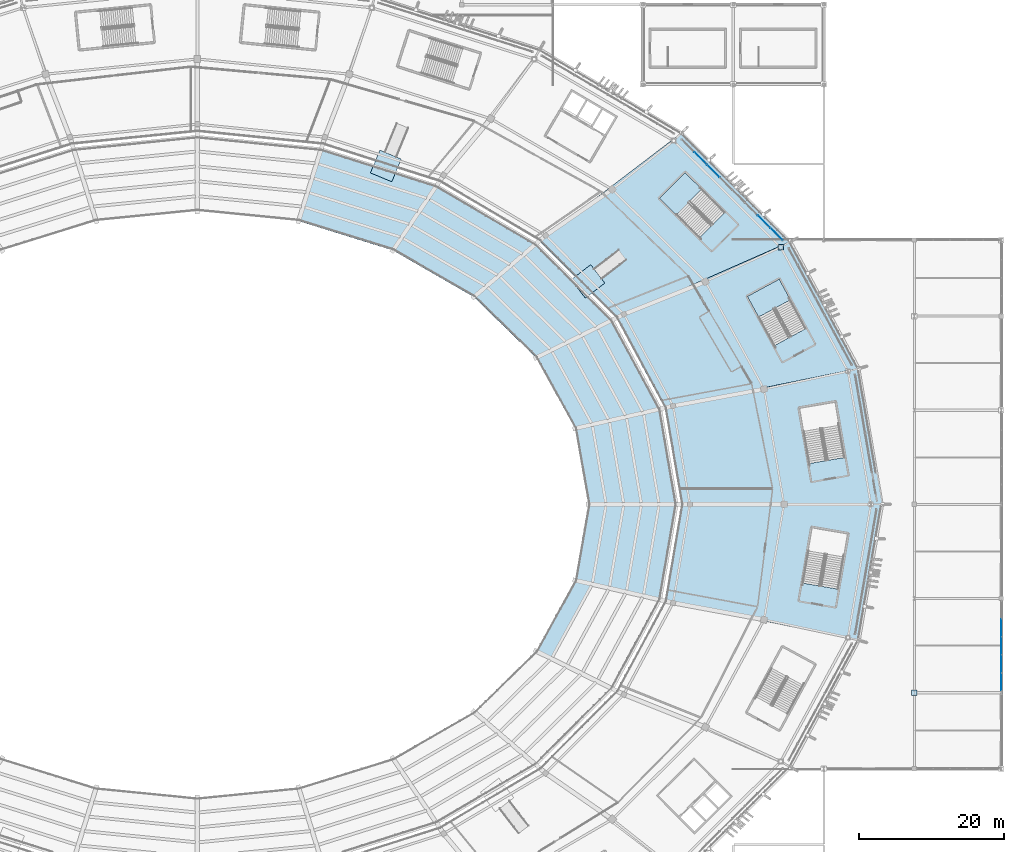
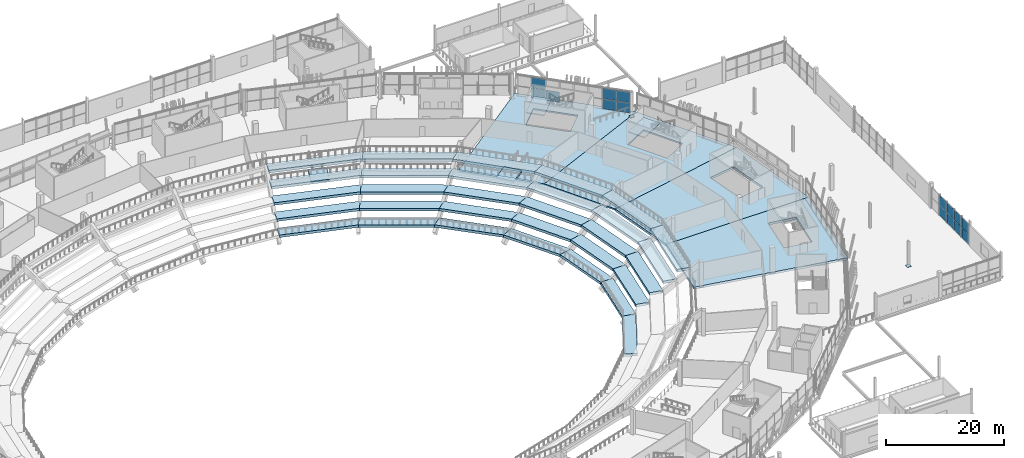
# One storey, part 97 of 178: 39 slabs, 17 plates, 4 elements without a shape of their own.
"""IFC4 building model written with IfcOpenShell, lengths in metres."""

from ifc_helpers import new_model, si_unit, direction, frame, origin, origin_2d, place, context, subcontext, project, spatial, polyline, rectangle, outline, extrude, material, layer, layer_set, type_object, element, aggregate, save


model = new_model("IFC4")

# Units and contexts
model_context = context("Model", 3, precision=1e-05, world=origin(), true_north=direction((0.0, 1.0)))
body_context = subcontext(model_context, "Body", "Model", "MODEL_VIEW")
ifc_project = project(units=[si_unit("LENGTHUNIT", "METRE"), si_unit("AREAUNIT", "SQUARE_METRE"), si_unit("VOLUMEUNIT", "CUBIC_METRE"), si_unit("PLANEANGLEUNIT", "RADIAN"), si_unit("MASSUNIT", "GRAM", prefix="KILO")], contexts=[model_context])

# Site, building, storey
site_placement = place(None, origin())
site = spatial("IfcSite", under=ifc_project, at=site_placement, CompositionType="ELEMENT")
building_placement = place(site_placement, origin())
building = spatial("IfcBuilding", under=site, at=building_placement, Name="Zlatoyarsky Gate Stadium", CompositionType="ELEMENT")
storey_placement = place(building_placement, frame((0.0, 0.0, 5.39990234375)))
storey = spatial("IfcBuildingStorey", under=building, at=storey_placement, Name="L01", CompositionType="ELEMENT", Elevation=5.39990234375)

# Slabs
ifc_material_1 = material(Name="Concrete C40/50", Category="concrete")
ifc_layer_1 = layer(ifc_material_1, 0.360107421875)
ifc_layer_set_1 = layer_set([ifc_layer_1], Name="Concrete C40/50")
slab_type_1 = type_object("IfcSlabType", Name="CONCRETE ACCESSIBLE PLATFORM SLAB 360", PredefinedType="FLOOR", material=ifc_layer_set_1)
slab_1_placement = place(storey_placement, origin())
element("IfcSlab", 1, at=slab_1_placement, inside=storey, type_object=slab_type_1, Name="L01 accessible viewing platform at AR-01", PredefinedType="FLOOR", context=body_context, shape_type="SweptSolid", body=[
    extrude(outline(polyline([(165.306640625, 113.095458984375), (162.609375, 111.025634765625), (164.557373046875, 108.487060546875), (167.254638671875, 110.556884765625), (165.306640625, 113.095458984375)])), origin(), (0.0, 0.0, 1.0), 0.360107421875),
])
slab_2_placement = place(storey_placement, origin())
element("IfcSlab", 2, at=slab_2_placement, inside=storey, type_object=slab_type_1, Name="L01 accessible viewing platform at AR-05", PredefinedType="FLOOR", context=body_context, shape_type="SweptSolid", body=[
    extrude(outline(polyline([(136.1875, 128.9130859375), (134.886474609375, 125.77197265625), (137.843017578125, 124.54736328125), (139.14404296875, 127.6884765625), (136.1875, 128.9130859375)])), origin(), (0.0, 0.0, 1.0), 0.360107421875),
])
ifc_layer_2 = layer(ifc_material_1, 0.300048828125)
ifc_layer_set_2 = layer_set([ifc_layer_2], Name="Concrete C40/50")
slab_type_2 = type_object("IfcSlabType", Name="CONCRETE CONCOURSE SLAB 300", PredefinedType="FLOOR", material=ifc_layer_set_2)
slab_3_placement = place(storey_placement, frame((0.0, 0.0, -0.2998046875)))
element("IfcSlab", 3, at=slab_3_placement, inside=storey, type_object=slab_type_2, Name="L01 bowl sector 01 slab", PredefinedType="FLOOR", context=body_context, shape_type="SweptSolid", body=[
    extrude(outline(polyline([(168.8505859375, 105.699951171875), (192.933349609375, 116.30419921875), (202.384765625, 98.79248046875), (175.523681640625, 93.30322265625), (168.8505859375, 105.699951171875)]), holes=[polyline([(190.635498046875, 101.90283203125), (195.030517578125, 104.287353515625), (191.33447265625, 111.09912109375), (186.939697265625, 108.71484375), (190.635498046875, 101.90283203125)])]), origin(), (0.0, 0.0, 1.0), 0.2998046875),
])
slab_4_placement = place(storey_placement, frame((0.0, 0.0, -0.2998046875)))
element("IfcSlab", 4, at=slab_4_placement, inside=storey, type_object=slab_type_2, Name="L01 bowl sector 02 slab", PredefinedType="FLOOR", context=body_context, shape_type="SweptSolid", body=[
    extrude(outline(polyline([(158.234619140625, 116.34521484375), (177.898193359375, 131.342041015625), (192.933349609375, 116.30419921875), (168.8505859375, 105.699951171875), (158.234619140625, 116.34521484375)]), holes=[polyline([(183.828125, 120.347412109375), (178.334228515625, 125.8134765625), (174.8076171875, 122.268798828125), (180.3017578125, 116.802734375), (183.828125, 120.347412109375)])]), origin(), (0.0, 0.0, 1.0), 0.2998046875),
])
ifc_layer_3 = layer(ifc_material_1, 0.4599609375)
ifc_layer_set_3 = layer_set([ifc_layer_3], Name="Concrete C40/50")
slab_type_3 = type_object("IfcSlabType", Name="CONCRETE PORTAL TRANSFER SLAB 460", PredefinedType="USERDEFINED", material=ifc_layer_set_3)
slab_5_placement = place(storey_placement, frame((0.0, 0.0, -0.4599609375)))
element("IfcSlab", 5, at=slab_5_placement, inside=storey, type_object=slab_type_3, Name="L01 bowl sector 00 slab", ObjectType="TRANSFER SLAB", PredefinedType="USERDEFINED", context=body_context, shape_type="SweptSolid", body=[
    extrude(outline(polyline([(175.523681640625, 93.30322265625), (202.384765625, 98.79248046875), (205.6083984375, 80.0), (177.800048828125, 80.0), (175.523681640625, 93.30322265625)]), holes=[polyline([(195.447998046875, 85.635498046875), (200.37548828125, 86.485107421875), (199.058349609375, 94.122314453125), (194.131103515625, 93.272705078125), (195.447998046875, 85.635498046875)])]), origin(), (0.0, 0.0, 1.0), 0.4599609375),
])
slab_6_placement = place(storey_placement, frame((0.0, 0.0, -0.4599609375)))
element("IfcSlab", 6, at=slab_6_placement, inside=storey, type_object=slab_type_3, Name="L01 bowl sector 23 slab", ObjectType="TRANSFER SLAB", PredefinedType="USERDEFINED", context=body_context, shape_type="SweptSolid", body=[
    extrude(outline(polyline([(177.800048828125, 80.0), (205.6083984375, 80.0), (202.384765625, 61.20751953125), (175.523681640625, 66.69677734375), (177.800048828125, 80.0)]), holes=[polyline([(199.474609375, 68.2919921875), (200.791748046875, 75.92919921875), (195.864501953125, 76.77880859375), (194.547607421875, 69.1416015625), (199.474609375, 68.2919921875)])]), origin(), (0.0, 0.0, 1.0), 0.4599609375),
])

# Stair, slab
stair_type = type_object("IfcStairType", Name="CONCRETE DOGLEG EXIT STAIR H5200", PredefinedType="TWO_STRAIGHT_RUN_STAIR", material=ifc_material_1)
stair_1_placement = place(storey_placement, origin())
stair_1 = element("IfcStair", 7, at=stair_1_placement, inside=storey, type_object=stair_type, Name="L01 Exit Stair ST-02", PredefinedType="TWO_STRAIGHT_RUN_STAIR")
ifc_layer_4 = layer(ifc_material_1, 0.199951171875)
ifc_layer_set_4 = layer_set([ifc_layer_4], Name="Concrete C40/50")
slab_type_4 = type_object("IfcSlabType", Name="CONCRETE STAIR LANDING SLAB 200", PredefinedType="LANDING", material=ifc_layer_set_4)
slab_7_placement = place(storey_placement, frame((0.0, 0.0, 2.400146484375)))
slab_7 = element("IfcSlab", 8, at=slab_7_placement, type_object=slab_type_4, Name="ST-DG52 landing 1", PredefinedType="LANDING", context=body_context, shape_type="SweptSolid", body=[
    extrude(outline(polyline([(180.63818359375, 123.521240234375), (178.334228515625, 125.8134765625), (174.8076171875, 122.26904296875), (177.111572265625, 119.9765625), (180.63818359375, 123.521240234375)])), origin(), (0.0, 0.0, 1.0), 0.199951171875),
])
aggregate(stair_1, [slab_7])

stair_2_placement = place(storey_placement, origin())
stair_2 = element("IfcStair", 9, at=stair_2_placement, inside=storey, type_object=stair_type, Name="L01 Exit Stair ST-13", PredefinedType="TWO_STRAIGHT_RUN_STAIR")
slab_8_placement = place(storey_placement, frame((0.0, 0.0, 2.400146484375)))
slab_8 = element("IfcSlab", 10, at=slab_8_placement, type_object=slab_type_4, Name="ST-DG52 landing 1", PredefinedType="LANDING", context=body_context, shape_type="SweptSolid", body=[
    extrude(outline(polyline([(192.884521484375, 108.24267578125), (191.33447265625, 111.09912109375), (186.939697265625, 108.71484375), (188.489501953125, 105.858154296875), (192.884521484375, 108.24267578125)])), origin(), (0.0, 0.0, 1.0), 0.199951171875),
])
aggregate(stair_2, [slab_8])

# Curtain wall, plates
ifc_material_2 = material(Name="Thermally broken anodised aluminium curtain wall", Category="aluminium")
curtain_wall_type_1 = type_object("IfcCurtainWallType", Name="WINTER GARDEN CONSERVATORY GLAZING", PredefinedType="USERDEFINED", material=ifc_material_2)
curtain_wall_1_placement = place(storey_placement, origin())
curtain_wall_1 = element("IfcCurtainWall", 11, at=curtain_wall_1_placement, inside=storey, type_object=curtain_wall_type_1, Name="Curtain wall CW-V5_EAST-L01-180", ObjectType="UNITISED GLAZING", PredefinedType="USERDEFINED")
ifc_material_3 = material(Name="Anodised aluminium spandrel panel", Category="aluminium")
ifc_layer_5 = layer(ifc_material_3, 0.05810546875)
ifc_layer_set_5 = layer_set([ifc_layer_5], Name="Anodised aluminium spandrel panel")
plate_type_1 = type_object("IfcPlateType", Name="INSULATED ALUMINIUM SPANDREL PANEL 58", PredefinedType="CURTAIN_PANEL", material=ifc_layer_set_5)
plate_1_placement = place(storey_placement, frame((222.0, 55.498291015625, 0.06494140625), z_axis=(0.0, 0.0, 1.0), x_axis=(0.0, 1.0, 0.0)))
plate_1 = element("IfcPlate", 12, at=plate_1_placement, type_object=plate_type_1, Name="CW-WG1 panel 1.1", PredefinedType="CURTAIN_PANEL", context=body_context, shape_type="SweptSolid", body=[
    extrude(rectangle(XDim=2.392578125, YDim=0.05810546875, at=origin_2d()), origin(), (0.0, 0.0, 1.0), 2.052490234375),
])
plate_2_placement = place(storey_placement, frame((222.0, 55.498291015625, 2.1826171875), z_axis=(0.0, 0.0, 1.0), x_axis=(0.0, 1.0, 0.0)))
plate_2 = element("IfcPlate", 13, at=plate_2_placement, type_object=plate_type_1, Name="CW-WG1 panel 1.2", PredefinedType="CURTAIN_PANEL", context=body_context, shape_type="SweptSolid", body=[
    extrude(rectangle(XDim=2.392578125, YDim=0.05810546875, at=origin_2d()), origin(), (0.0, 0.0, 1.0), 2.052490234375),
])
plate_3_placement = place(storey_placement, frame((222.0, 57.972412109375, 0.06494140625), z_axis=(0.0, 0.0, 1.0), x_axis=(0.0, 1.0, 0.0)))
plate_3 = element("IfcPlate", 14, at=plate_3_placement, type_object=plate_type_1, Name="CW-WG1 panel 2.1", PredefinedType="CURTAIN_PANEL", context=body_context, shape_type="SweptSolid", body=[
    extrude(rectangle(XDim=2.42529296875, YDim=0.05810546875, at=origin_2d()), origin(), (0.0, 0.0, 1.0), 2.052490234375),
])
plate_4_placement = place(storey_placement, frame((222.0, 57.972412109375, 2.1826171875), z_axis=(0.0, 0.0, 1.0), x_axis=(0.0, 1.0, 0.0)))
plate_4 = element("IfcPlate", 15, at=plate_4_placement, type_object=plate_type_1, Name="CW-WG1 panel 2.2", PredefinedType="CURTAIN_PANEL", context=body_context, shape_type="SweptSolid", body=[
    extrude(rectangle(XDim=2.42529296875, YDim=0.05810546875, at=origin_2d()), origin(), (0.0, 0.0, 1.0), 2.052490234375),
])
plate_5_placement = place(storey_placement, frame((222.0, 60.46240234375, 0.06494140625), z_axis=(0.0, 0.0, 1.0), x_axis=(0.0, 1.0, 0.0)))
plate_5 = element("IfcPlate", 16, at=plate_5_placement, type_object=plate_type_1, Name="CW-WG1 panel 3.1", PredefinedType="CURTAIN_PANEL", context=body_context, shape_type="SweptSolid", body=[
    extrude(rectangle(XDim=2.42529296875, YDim=0.05810546875, at=origin_2d()), origin(), (0.0, 0.0, 1.0), 2.052490234375),
])
plate_6_placement = place(storey_placement, frame((222.0, 60.46240234375, 2.1826171875), z_axis=(0.0, 0.0, 1.0), x_axis=(0.0, 1.0, 0.0)))
plate_6 = element("IfcPlate", 17, at=plate_6_placement, type_object=plate_type_1, Name="CW-WG1 panel 3.2", PredefinedType="CURTAIN_PANEL", context=body_context, shape_type="SweptSolid", body=[
    extrude(rectangle(XDim=2.42529296875, YDim=0.05810546875, at=origin_2d()), origin(), (0.0, 0.0, 1.0), 2.052490234375),
])
plate_7_placement = place(storey_placement, frame((222.0, 62.95263671875, 0.06494140625), z_axis=(0.0, 0.0, 1.0), x_axis=(0.0, 1.0, 0.0)))
plate_7 = element("IfcPlate", 18, at=plate_7_placement, type_object=plate_type_1, Name="CW-WG1 panel 4.1", PredefinedType="CURTAIN_PANEL", context=body_context, shape_type="SweptSolid", body=[
    extrude(rectangle(XDim=2.42529296875, YDim=0.05810546875, at=origin_2d()), origin(), (0.0, 0.0, 1.0), 2.052490234375),
])
plate_8_placement = place(storey_placement, frame((222.0, 62.95263671875, 2.1826171875), z_axis=(0.0, 0.0, 1.0), x_axis=(0.0, 1.0, 0.0)))
plate_8 = element("IfcPlate", 19, at=plate_8_placement, type_object=plate_type_1, Name="CW-WG1 panel 4.2", PredefinedType="CURTAIN_PANEL", context=body_context, shape_type="SweptSolid", body=[
    extrude(rectangle(XDim=2.42529296875, YDim=0.05810546875, at=origin_2d()), origin(), (0.0, 0.0, 1.0), 2.052490234375),
])
aggregate(curtain_wall_1, [plate_1, plate_2, plate_3, plate_4, plate_5, plate_6, plate_7, plate_8])

# Slabs
ifc_material_4 = material(Name="Precast concrete C40/50", Category="concrete")
ifc_layer_6 = layer(ifc_material_4, 0.52001953125)
ifc_layer_set_6 = layer_set([ifc_layer_6], Name="Precast concrete C40/50")
slab_type_5 = type_object("IfcSlabType", Name="PRECAST LOWER SEATING TIER UNIT 520", PredefinedType="USERDEFINED", material=ifc_layer_set_6)
slab_9_placement = place(storey_placement, frame((0.0, 0.0, -3.869873046875)))
element("IfcSlab", 20, at=slab_9_placement, inside=storey, type_object=slab_type_5, Name="Lower seating tier sector 00 row 1", ObjectType="SEATING TIER", PredefinedType="USERDEFINED", context=body_context, shape_type="SweptSolid", body=[
    extrude(outline(polyline([(165.0, 80.0), (167.43994140625, 80.0), (165.516845703125, 91.015380859375), (163.159912109375, 90.482177734375), (165.0, 80.0)])), origin(), (0.0, 0.0, 1.0), 0.52001953125),
])
slab_10_placement = place(storey_placement, frame((0.0, 0.0, -1.969970703125)))
element("IfcSlab", 21, at=slab_10_placement, inside=storey, type_object=slab_type_5, Name="Lower seating tier sector 00 row 2", ObjectType="SEATING TIER", PredefinedType="USERDEFINED", context=body_context, shape_type="SweptSolid", body=[
    extrude(outline(polyline([(167.43994140625, 80.0), (169.8798828125, 80.0), (167.873779296875, 91.548583984375), (165.516845703125, 91.015380859375), (167.43994140625, 80.0)])), origin(), (0.0, 0.0, 1.0), 0.52001953125),
])
slab_11_placement = place(storey_placement, frame((0.0, 0.0, -0.06982421875)))
element("IfcSlab", 22, at=slab_11_placement, inside=storey, type_object=slab_type_5, Name="Lower seating tier sector 00 row 3", ObjectType="SEATING TIER", PredefinedType="USERDEFINED", context=body_context, shape_type="SweptSolid", body=[
    extrude(outline(polyline([(169.8798828125, 80.0), (172.320068359375, 80.0), (170.230712890625, 92.081787109375), (167.873779296875, 91.548583984375), (169.8798828125, 80.0)])), origin(), (0.0, 0.0, 1.0), 0.52001953125),
])
slab_12_placement = place(storey_placement, frame((0.0, 0.0, 1.830078125)))
element("IfcSlab", 23, at=slab_12_placement, inside=storey, type_object=slab_type_5, Name="Lower seating tier sector 00 row 4", ObjectType="SEATING TIER", PredefinedType="USERDEFINED", context=body_context, shape_type="SweptSolid", body=[
    extrude(outline(polyline([(172.320068359375, 80.0), (174.760009765625, 80.0), (172.58740234375, 92.61474609375), (170.230712890625, 92.081787109375), (172.320068359375, 80.0)])), origin(), (0.0, 0.0, 1.0), 0.52001953125),
])
slab_13_placement = place(storey_placement, frame((0.0, 0.0, 3.72998046875)))
element("IfcSlab", 24, at=slab_13_placement, inside=storey, type_object=slab_type_5, Name="Lower seating tier sector 00 row 5", ObjectType="SEATING TIER", PredefinedType="USERDEFINED", context=body_context, shape_type="SweptSolid", body=[
    extrude(outline(polyline([(174.760009765625, 80.0), (177.199951171875, 80.0), (174.9443359375, 93.14794921875), (172.58740234375, 92.61474609375), (174.760009765625, 80.0)])), origin(), (0.0, 0.0, 1.0), 0.52001953125),
])
slab_14_placement = place(storey_placement, frame((0.0, 0.0, -3.869873046875)))
element("IfcSlab", 25, at=slab_14_placement, inside=storey, type_object=slab_type_5, Name="Lower seating tier sector 01 row 1", ObjectType="SEATING TIER", PredefinedType="USERDEFINED", context=body_context, shape_type="SweptSolid", body=[
    extrude(outline(polyline([(163.159912109375, 90.482177734375), (165.516845703125, 91.015380859375), (159.87841796875, 101.280029296875), (157.765380859375, 100.25), (163.159912109375, 90.482177734375)])), origin(), (0.0, 0.0, 1.0), 0.52001953125),
])
slab_15_placement = place(storey_placement, frame((0.0, 0.0, -1.969970703125)))
element("IfcSlab", 26, at=slab_15_placement, inside=storey, type_object=slab_type_5, Name="Lower seating tier sector 01 row 2", ObjectType="SEATING TIER", PredefinedType="USERDEFINED", context=body_context, shape_type="SweptSolid", body=[
    extrude(outline(polyline([(165.516845703125, 91.015380859375), (167.873779296875, 91.548583984375), (161.99169921875, 102.31005859375), (159.87841796875, 101.280029296875), (165.516845703125, 91.015380859375)])), origin(), (0.0, 0.0, 1.0), 0.52001953125),
])
slab_16_placement = place(storey_placement, frame((0.0, 0.0, -0.06982421875)))
element("IfcSlab", 27, at=slab_16_placement, inside=storey, type_object=slab_type_5, Name="Lower seating tier sector 01 row 3", ObjectType="SEATING TIER", PredefinedType="USERDEFINED", context=body_context, shape_type="SweptSolid", body=[
    extrude(outline(polyline([(167.873779296875, 91.548583984375), (170.230712890625, 92.081787109375), (164.104736328125, 103.340087890625), (161.99169921875, 102.31005859375), (167.873779296875, 91.548583984375)])), origin(), (0.0, 0.0, 1.0), 0.52001953125),
])
slab_17_placement = place(storey_placement, frame((0.0, 0.0, 1.830078125)))
element("IfcSlab", 28, at=slab_17_placement, inside=storey, type_object=slab_type_5, Name="Lower seating tier sector 01 row 4", ObjectType="SEATING TIER", PredefinedType="USERDEFINED", context=body_context, shape_type="SweptSolid", body=[
    extrude(outline(polyline([(170.230712890625, 92.081787109375), (172.58740234375, 92.61474609375), (166.2177734375, 104.3701171875), (164.104736328125, 103.340087890625), (170.230712890625, 92.081787109375)])), origin(), (0.0, 0.0, 1.0), 0.52001953125),
])
slab_18_placement = place(storey_placement, frame((0.0, 0.0, 3.72998046875)))
element("IfcSlab", 29, at=slab_18_placement, inside=storey, type_object=slab_type_5, Name="Lower seating tier sector 01 row 5", ObjectType="SEATING TIER", PredefinedType="USERDEFINED", context=body_context, shape_type="SweptSolid", body=[
    extrude(outline(polyline([(172.58740234375, 92.61474609375), (174.9443359375, 93.14794921875), (168.330810546875, 105.39990234375), (166.2177734375, 104.3701171875), (172.58740234375, 92.61474609375)])), origin(), (0.0, 0.0, 1.0), 0.52001953125),
])
slab_19_placement = place(storey_placement, frame((0.0, 0.0, -3.869873046875)))
element("IfcSlab", 30, at=slab_19_placement, inside=storey, type_object=slab_type_5, Name="Lower seating tier sector 02 row 1", ObjectType="SEATING TIER", PredefinedType="USERDEFINED", context=body_context, shape_type="SweptSolid", body=[
    extrude(outline(polyline([(157.765380859375, 100.25), (159.87841796875, 101.280029296875), (150.9091796875, 110.094482421875), (149.183837890625, 108.6376953125), (157.765380859375, 100.25)])), origin(), (0.0, 0.0, 1.0), 0.52001953125),
])
slab_20_placement = place(storey_placement, frame((0.0, 0.0, -1.969970703125)))
element("IfcSlab", 31, at=slab_20_placement, inside=storey, type_object=slab_type_5, Name="Lower seating tier sector 02 row 2", ObjectType="SEATING TIER", PredefinedType="USERDEFINED", context=body_context, shape_type="SweptSolid", body=[
    extrude(outline(polyline([(159.87841796875, 101.280029296875), (161.99169921875, 102.31005859375), (152.634521484375, 111.551025390625), (150.9091796875, 110.094482421875), (159.87841796875, 101.280029296875)])), origin(), (0.0, 0.0, 1.0), 0.52001953125),
])
slab_21_placement = place(storey_placement, frame((0.0, 0.0, -0.06982421875)))
element("IfcSlab", 32, at=slab_21_placement, inside=storey, type_object=slab_type_5, Name="Lower seating tier sector 02 row 3", ObjectType="SEATING TIER", PredefinedType="USERDEFINED", context=body_context, shape_type="SweptSolid", body=[
    extrude(outline(polyline([(161.99169921875, 102.31005859375), (164.104736328125, 103.340087890625), (154.35986328125, 113.0078125), (152.634521484375, 111.551025390625), (161.99169921875, 102.31005859375)])), origin(), (0.0, 0.0, 1.0), 0.52001953125),
])
slab_22_placement = place(storey_placement, frame((0.0, 0.0, 1.830078125)))
element("IfcSlab", 33, at=slab_22_placement, inside=storey, type_object=slab_type_5, Name="Lower seating tier sector 02 row 4", ObjectType="SEATING TIER", PredefinedType="USERDEFINED", context=body_context, shape_type="SweptSolid", body=[
    extrude(outline(polyline([(164.104736328125, 103.340087890625), (166.2177734375, 104.3701171875), (156.085205078125, 114.46435546875), (154.35986328125, 113.0078125), (164.104736328125, 103.340087890625)])), origin(), (0.0, 0.0, 1.0), 0.52001953125),
])
slab_23_placement = place(storey_placement, frame((0.0, 0.0, 3.72998046875)))
element("IfcSlab", 34, at=slab_23_placement, inside=storey, type_object=slab_type_5, Name="Lower seating tier sector 02 row 5", ObjectType="SEATING TIER", PredefinedType="USERDEFINED", context=body_context, shape_type="SweptSolid", body=[
    extrude(outline(polyline([(166.2177734375, 104.3701171875), (168.330810546875, 105.39990234375), (157.810546875, 115.9208984375), (156.085205078125, 114.46435546875), (166.2177734375, 104.3701171875)])), origin(), (0.0, 0.0, 1.0), 0.52001953125),
])
slab_24_placement = place(storey_placement, frame((0.0, 0.0, -3.869873046875)))
element("IfcSlab", 35, at=slab_24_placement, inside=storey, type_object=slab_type_5, Name="Lower seating tier sector 03 row 1", ObjectType="SEATING TIER", PredefinedType="USERDEFINED", context=body_context, shape_type="SweptSolid", body=[
    extrude(outline(polyline([(149.183837890625, 108.6376953125), (150.9091796875, 110.094482421875), (139.219970703125, 116.85791015625), (138.0, 115.073974609375), (149.183837890625, 108.6376953125)])), origin(), (0.0, 0.0, 1.0), 0.52001953125),
])
slab_25_placement = place(storey_placement, frame((0.0, 0.0, -1.969970703125)))
element("IfcSlab", 36, at=slab_25_placement, inside=storey, type_object=slab_type_5, Name="Lower seating tier sector 03 row 2", ObjectType="SEATING TIER", PredefinedType="USERDEFINED", context=body_context, shape_type="SweptSolid", body=[
    extrude(outline(polyline([(150.9091796875, 110.094482421875), (152.634521484375, 111.551025390625), (140.43994140625, 118.64208984375), (139.219970703125, 116.85791015625), (150.9091796875, 110.094482421875)])), origin(), (0.0, 0.0, 1.0), 0.52001953125),
])
slab_26_placement = place(storey_placement, frame((0.0, 0.0, -0.06982421875)))
element("IfcSlab", 37, at=slab_26_placement, inside=storey, type_object=slab_type_5, Name="Lower seating tier sector 03 row 3", ObjectType="SEATING TIER", PredefinedType="USERDEFINED", context=body_context, shape_type="SweptSolid", body=[
    extrude(outline(polyline([(152.634521484375, 111.551025390625), (154.35986328125, 113.0078125), (141.659912109375, 120.426025390625), (140.43994140625, 118.64208984375), (152.634521484375, 111.551025390625)])), origin(), (0.0, 0.0, 1.0), 0.52001953125),
])
slab_27_placement = place(storey_placement, frame((0.0, 0.0, 1.830078125)))
element("IfcSlab", 38, at=slab_27_placement, inside=storey, type_object=slab_type_5, Name="Lower seating tier sector 03 row 4", ObjectType="SEATING TIER", PredefinedType="USERDEFINED", context=body_context, shape_type="SweptSolid", body=[
    extrude(outline(polyline([(154.35986328125, 113.0078125), (156.085205078125, 114.46435546875), (142.8798828125, 122.210205078125), (141.659912109375, 120.426025390625), (154.35986328125, 113.0078125)])), origin(), (0.0, 0.0, 1.0), 0.52001953125),
])
slab_28_placement = place(storey_placement, frame((0.0, 0.0, 3.72998046875)))
element("IfcSlab", 39, at=slab_28_placement, inside=storey, type_object=slab_type_5, Name="Lower seating tier sector 03 row 5", ObjectType="SEATING TIER", PredefinedType="USERDEFINED", context=body_context, shape_type="SweptSolid", body=[
    extrude(outline(polyline([(156.085205078125, 114.46435546875), (157.810546875, 115.9208984375), (144.10009765625, 123.994140625), (142.8798828125, 122.210205078125), (156.085205078125, 114.46435546875)])), origin(), (0.0, 0.0, 1.0), 0.52001953125),
])
slab_29_placement = place(storey_placement, frame((0.0, 0.0, -3.869873046875)))
element("IfcSlab", 40, at=slab_29_placement, inside=storey, type_object=slab_type_5, Name="Lower seating tier sector 04 row 1", ObjectType="SEATING TIER", PredefinedType="USERDEFINED", context=body_context, shape_type="SweptSolid", body=[
    extrude(outline(polyline([(138.0, 115.073974609375), (139.219970703125, 116.85791015625), (125.607666015625, 121.10986328125), (124.976318359375, 119.1201171875), (138.0, 115.073974609375)])), origin(), (0.0, 0.0, 1.0), 0.52001953125),
])
slab_30_placement = place(storey_placement, frame((0.0, 0.0, -1.969970703125)))
element("IfcSlab", 41, at=slab_30_placement, inside=storey, type_object=slab_type_5, Name="Lower seating tier sector 04 row 2", ObjectType="SEATING TIER", PredefinedType="USERDEFINED", context=body_context, shape_type="SweptSolid", body=[
    extrude(outline(polyline([(139.219970703125, 116.85791015625), (140.43994140625, 118.64208984375), (126.2392578125, 123.099609375), (125.607666015625, 121.10986328125), (139.219970703125, 116.85791015625)])), origin(), (0.0, 0.0, 1.0), 0.52001953125),
])
slab_31_placement = place(storey_placement, frame((0.0, 0.0, -0.06982421875)))
element("IfcSlab", 42, at=slab_31_placement, inside=storey, type_object=slab_type_5, Name="Lower seating tier sector 04 row 3", ObjectType="SEATING TIER", PredefinedType="USERDEFINED", context=body_context, shape_type="SweptSolid", body=[
    extrude(outline(polyline([(140.43994140625, 118.64208984375), (141.659912109375, 120.426025390625), (126.870849609375, 125.08935546875), (126.2392578125, 123.099609375), (140.43994140625, 118.64208984375)])), origin(), (0.0, 0.0, 1.0), 0.52001953125),
])
slab_32_placement = place(storey_placement, frame((0.0, 0.0, 1.830078125)))
element("IfcSlab", 43, at=slab_32_placement, inside=storey, type_object=slab_type_5, Name="Lower seating tier sector 04 row 4", ObjectType="SEATING TIER", PredefinedType="USERDEFINED", context=body_context, shape_type="SweptSolid", body=[
    extrude(outline(polyline([(141.659912109375, 120.426025390625), (142.8798828125, 122.210205078125), (127.502197265625, 127.0791015625), (126.870849609375, 125.08935546875), (141.659912109375, 120.426025390625)])), origin(), (0.0, 0.0, 1.0), 0.52001953125),
])
slab_33_placement = place(storey_placement, frame((0.0, 0.0, 3.72998046875)))
element("IfcSlab", 44, at=slab_33_placement, inside=storey, type_object=slab_type_5, Name="Lower seating tier sector 04 row 5", ObjectType="SEATING TIER", PredefinedType="USERDEFINED", context=body_context, shape_type="SweptSolid", body=[
    extrude(outline(polyline([(142.8798828125, 122.210205078125), (144.10009765625, 123.994140625), (128.1337890625, 129.069091796875), (127.502197265625, 127.0791015625), (142.8798828125, 122.210205078125)])), origin(), (0.0, 0.0, 1.0), 0.52001953125),
])
slab_34_placement = place(storey_placement, frame((0.0, 0.0, -3.869873046875)))
element("IfcSlab", 45, at=slab_34_placement, inside=storey, type_object=slab_type_5, Name="Lower seating tier sector 22 row 1", ObjectType="SEATING TIER", PredefinedType="USERDEFINED", context=body_context, shape_type="SweptSolid", body=[
    extrude(outline(polyline([(157.765380859375, 59.75), (159.87841796875, 58.719970703125), (165.516845703125, 68.984619140625), (163.159912109375, 69.517822265625), (157.765380859375, 59.75)])), origin(), (0.0, 0.0, 1.0), 0.52001953125),
])
slab_35_placement = place(storey_placement, frame((0.0, 0.0, -3.869873046875)))
element("IfcSlab", 46, at=slab_35_placement, inside=storey, type_object=slab_type_5, Name="Lower seating tier sector 23 row 1", ObjectType="SEATING TIER", PredefinedType="USERDEFINED", context=body_context, shape_type="SweptSolid", body=[
    extrude(outline(polyline([(163.159912109375, 69.517822265625), (165.516845703125, 68.984619140625), (167.43994140625, 80.0), (165.0, 80.0), (163.159912109375, 69.517822265625)])), origin(), (0.0, 0.0, 1.0), 0.52001953125),
])
slab_36_placement = place(storey_placement, frame((0.0, 0.0, -1.969970703125)))
element("IfcSlab", 47, at=slab_36_placement, inside=storey, type_object=slab_type_5, Name="Lower seating tier sector 23 row 2", ObjectType="SEATING TIER", PredefinedType="USERDEFINED", context=body_context, shape_type="SweptSolid", body=[
    extrude(outline(polyline([(165.516845703125, 68.984619140625), (167.873779296875, 68.451416015625), (169.8798828125, 80.0), (167.43994140625, 80.0), (165.516845703125, 68.984619140625)])), origin(), (0.0, 0.0, 1.0), 0.52001953125),
])
slab_37_placement = place(storey_placement, frame((0.0, 0.0, -0.06982421875)))
element("IfcSlab", 48, at=slab_37_placement, inside=storey, type_object=slab_type_5, Name="Lower seating tier sector 23 row 3", ObjectType="SEATING TIER", PredefinedType="USERDEFINED", context=body_context, shape_type="SweptSolid", body=[
    extrude(outline(polyline([(167.873779296875, 68.451416015625), (170.230712890625, 67.918212890625), (172.320068359375, 80.0), (169.8798828125, 80.0), (167.873779296875, 68.451416015625)])), origin(), (0.0, 0.0, 1.0), 0.52001953125),
])
slab_38_placement = place(storey_placement, frame((0.0, 0.0, 1.830078125)))
element("IfcSlab", 49, at=slab_38_placement, inside=storey, type_object=slab_type_5, Name="Lower seating tier sector 23 row 4", ObjectType="SEATING TIER", PredefinedType="USERDEFINED", context=body_context, shape_type="SweptSolid", body=[
    extrude(outline(polyline([(170.230712890625, 67.918212890625), (172.58740234375, 67.38525390625), (174.760009765625, 80.0), (172.320068359375, 80.0), (170.230712890625, 67.918212890625)])), origin(), (0.0, 0.0, 1.0), 0.52001953125),
])
slab_39_placement = place(storey_placement, frame((0.0, 0.0, 3.72998046875)))
element("IfcSlab", 50, at=slab_39_placement, inside=storey, type_object=slab_type_5, Name="Lower seating tier sector 23 row 5", ObjectType="SEATING TIER", PredefinedType="USERDEFINED", context=body_context, shape_type="SweptSolid", body=[
    extrude(outline(polyline([(172.58740234375, 67.38525390625), (174.9443359375, 66.85205078125), (177.199951171875, 80.0), (174.760009765625, 80.0), (172.58740234375, 67.38525390625)])), origin(), (0.0, 0.0, 1.0), 0.52001953125),
])

# Plates
ifc_material_5 = material(Name="Steel S355", Category="steel")
ifc_layer_7 = layer(ifc_material_5, 0.0400390625)
ifc_layer_set_7 = layer_set([ifc_layer_7], Name="Steel S355")
plate_type_2 = type_object("IfcPlateType", Name="STEEL COLUMN BASE PLATE 40", PredefinedType="USERDEFINED", material=ifc_layer_set_7)
for number, where, z_axis, x_axis, name in (
    (51, (191.540283203125, 115.5, 0.0), (0.0, 0.0, 1.0), (1.0, 0.0, 0.0), "Column base plate BP-01 at RC-02 L01"),
    (52, (210.0, 54.0, 0.0), (0.0, 0.0, 1.0), (1.0, 0.0, 0.0), "Column base plate BP-01 at WG-18-F L01"),
):
    element("IfcPlate", number, at=place(storey_placement, frame(where, z_axis=z_axis, x_axis=x_axis)), inside=storey, type_object=plate_type_2, Name=name, ObjectType="BASE PLATE", PredefinedType="USERDEFINED", context=body_context, shape_type="SweptSolid", body=[
        extrude(rectangle(XDim=0.75, YDim=0.75, at=origin_2d()), origin(), (0.0, 0.0, 1.0), 0.0400390625),
    ])

# Curtain wall, plates
curtain_wall_type_2 = type_object("IfcCurtainWallType", Name="UNITISED HOSPITALITY GLAZING L01", PredefinedType="USERDEFINED", material=ifc_material_2)
curtain_wall_2_placement = place(storey_placement, origin())
curtain_wall_2 = element("IfcCurtainWall", 53, at=curtain_wall_2_placement, inside=storey, type_object=curtain_wall_type_2, Name="Curtain wall CW-L01-02", ObjectType="UNITISED GLAZING", PredefinedType="USERDEFINED")
ifc_material_6 = material(Name="Triple-glazed argon low-e architectural glass", Category="glass")
ifc_layer_8 = layer(ifc_material_6, 0.0380859375)
ifc_layer_set_8 = layer_set([ifc_layer_8], Name="Triple-glazed argon low-e architectural glass")
plate_type_3 = type_object("IfcPlateType", Name="TRIPLE GLAZED LOW E CURTAIN PANEL 38", PredefinedType="CURTAIN_PANEL", material=ifc_layer_set_8)
plate_9_placement = place(storey_placement, frame((190.980224609375, 117.29833984375, 0.06494140625), z_axis=(0.0, 0.0, 1.0), x_axis=(-0.707841859523, 0.706370937898, 0.0)))
plate_9 = element("IfcPlate", 54, at=plate_9_placement, type_object=plate_type_3, Name="CW-UG1 panel 1.1", PredefinedType="CURTAIN_PANEL", context=body_context, shape_type="SweptSolid", body=[
    extrude(rectangle(XDim=2.37548828125, YDim=0.0380859375, at=origin_2d()), origin(), (0.0, 0.0, 1.0), 2.052490234375),
])
plate_10_placement = place(storey_placement, frame((190.980224609375, 117.29833984375, 2.1826171875), z_axis=(0.0, 0.0, 1.0), x_axis=(-0.707841859523, 0.706370937898, 0.0)))
plate_10 = element("IfcPlate", 55, at=plate_10_placement, type_object=plate_type_3, Name="CW-UG1 panel 1.2", PredefinedType="CURTAIN_PANEL", context=body_context, shape_type="SweptSolid", body=[
    extrude(rectangle(XDim=2.37548828125, YDim=0.0380859375, at=origin_2d()), origin(), (0.0, 0.0, 1.0), 2.152587890625),
])
plate_11_placement = place(storey_placement, frame((189.2412109375, 119.03369140625, 0.06494140625), z_axis=(0.0, 0.0, 1.0), x_axis=(-0.707841859523, 0.706370937898, 0.0)))
plate_11 = element("IfcPlate", 56, at=plate_11_placement, type_object=plate_type_3, Name="CW-UG1 panel 2.1", PredefinedType="CURTAIN_PANEL", context=body_context, shape_type="SweptSolid", body=[
    extrude(rectangle(XDim=2.407958984375, YDim=0.0380859375, at=origin_2d()), origin(), (0.0, 0.0, 1.0), 2.052490234375),
])
plate_12_placement = place(storey_placement, frame((189.2412109375, 119.03369140625, 2.1826171875), z_axis=(0.0, 0.0, 1.0), x_axis=(-0.707841859523, 0.706370937898, 0.0)))
plate_12 = element("IfcPlate", 57, at=plate_12_placement, type_object=plate_type_3, Name="CW-UG1 panel 2.2", PredefinedType="CURTAIN_PANEL", context=body_context, shape_type="SweptSolid", body=[
    extrude(rectangle(XDim=2.407958984375, YDim=0.0380859375, at=origin_2d()), origin(), (0.0, 0.0, 1.0), 2.152587890625),
])
plate_13_placement = place(storey_placement, frame((182.239501953125, 126.020751953125, 0.06494140625), z_axis=(0.0, 0.0, 1.0), x_axis=(-0.707841859523, 0.706370937898, 0.0)))
plate_13 = element("IfcPlate", 58, at=plate_13_placement, type_object=plate_type_3, Name="CW-UG1 panel 6.1", PredefinedType="CURTAIN_PANEL", context=body_context, shape_type="SweptSolid", body=[
    extrude(rectangle(XDim=2.407958984375, YDim=0.0380859375, at=origin_2d()), origin(), (0.0, 0.0, 1.0), 2.052490234375),
])
plate_14_placement = place(storey_placement, frame((180.489013671875, 127.767578125, 0.06494140625), z_axis=(0.0, 0.0, 1.0), x_axis=(-0.707841859523, 0.706370937898, 0.0)))
plate_14 = element("IfcPlate", 59, at=plate_14_placement, type_object=plate_type_3, Name="CW-UG1 panel 7.1", PredefinedType="CURTAIN_PANEL", context=body_context, shape_type="SweptSolid", body=[
    extrude(rectangle(XDim=2.407958984375, YDim=0.0380859375, at=origin_2d()), origin(), (0.0, 0.0, 1.0), 2.052490234375),
])
plate_15_placement = place(storey_placement, frame((180.489013671875, 127.767578125, 2.1826171875), z_axis=(0.0, 0.0, 1.0), x_axis=(-0.707841859523, 0.706370937898, 0.0)))
plate_15 = element("IfcPlate", 60, at=plate_15_placement, type_object=plate_type_3, Name="CW-UG1 panel 7.2", PredefinedType="CURTAIN_PANEL", context=body_context, shape_type="SweptSolid", body=[
    extrude(rectangle(XDim=2.407958984375, YDim=0.0380859375, at=origin_2d()), origin(), (0.0, 0.0, 1.0), 2.152587890625),
])
aggregate(curtain_wall_2, [plate_9, plate_10, plate_11, plate_12, plate_13, plate_14, plate_15])

save(model, "model.ifc")
